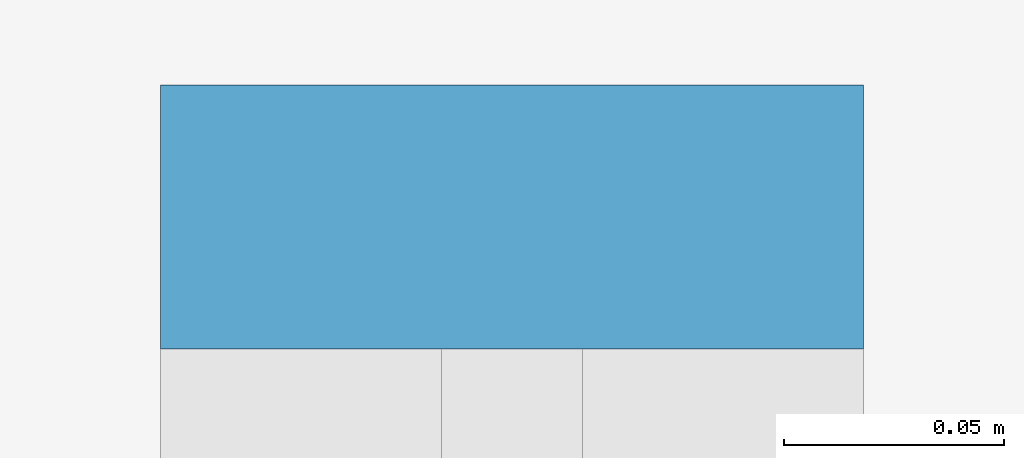
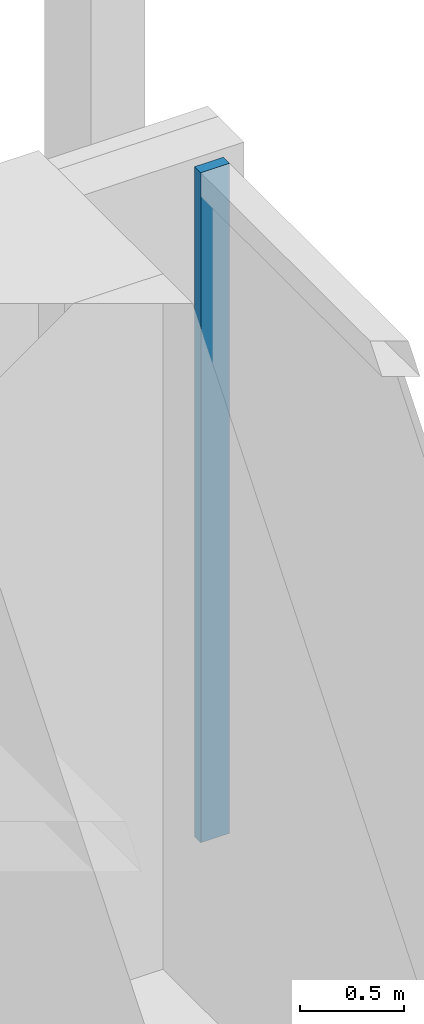
# One storey, part 17 of 29: 1 member, 1 element without a shape of its own.
"""IFC4 building model written with IfcOpenShell, lengths in metres."""

from ifc_helpers import new_model, si_unit, direction, frame, origin, origin_2d, place, context, subcontext, project, spatial, rectangle, extrude, material, material_profile, profile_set, type_object, element, aggregate, save


model = new_model("IFC4")

# Units and contexts
model_context = context("Model", 3, precision=1e-05, world=origin(), true_north=direction((0.0, 1.0)))
body_context = subcontext(model_context, "Body", "Model", "MODEL_VIEW")
ifc_project = project(units=[si_unit("LENGTHUNIT", "METRE"), si_unit("AREAUNIT", "SQUARE_METRE"), si_unit("VOLUMEUNIT", "CUBIC_METRE"), si_unit("PLANEANGLEUNIT", "RADIAN"), si_unit("MASSUNIT", "GRAM", prefix="KILO")], contexts=[model_context])

# Site, building, storey
site_placement = place(None, origin())
site = spatial("IfcSite", under=ifc_project, at=site_placement, CompositionType="ELEMENT")
building_placement = place(site_placement, origin())
building = spatial("IfcBuilding", under=site, at=building_placement, Name="Bicima Exchange Tower", CompositionType="ELEMENT")
storey_placement = place(building_placement, frame((0.0, 0.0, 190.89990234375)))
storey = spatial("IfcBuildingStorey", under=building, at=storey_placement, Name="L42", CompositionType="ELEMENT", Elevation=190.89990234375)

# Curtain wall, member
ifc_material = material(Name="Anodised bronze aluminium", Category="aluminium")
curtain_wall_type = type_object("IfcCurtainWallType", Name="Front glass wall", PredefinedType="NOTDEFINED", material=ifc_material)
curtain_wall_placement = place(storey_placement, origin())
curtain_wall = element("IfcCurtainWall", 1, at=curtain_wall_placement, inside=storey, type_object=curtain_wall_type, Name="Front glass wall L42 run 3", PredefinedType="NOTDEFINED")
ifc_material_profile = material_profile(ifc_material, rectangle(XDim=0.159912109375, YDim=0.06005859375, at=origin_2d()))
ifc_profile_set = profile_set([ifc_material_profile], Name="Anodised bronze aluminium")
member_type = type_object("IfcMemberType", Name="Front glass wall mullion 60 x 160", PredefinedType="MULLION", material=ifc_profile_set)
member_placement = place(storey_placement, frame((22.77001953125, -0.340087890625, 0.0), z_axis=(0.0, 0.0, 1.0), x_axis=(-1.0, 0.0, 0.0)))
member = element("IfcMember", 2, at=member_placement, type_object=member_type, Name="Front glass wall mullion 2", PredefinedType="MULLION", context=body_context, shape_type="SweptSolid", body=[
    extrude(rectangle(XDim=0.159912109375, YDim=0.06005859375, at=origin_2d()), origin(), (0.0, 0.0, 1.0), 3.9501953125),
])
aggregate(curtain_wall, [member])

save(model, "model.ifc")
